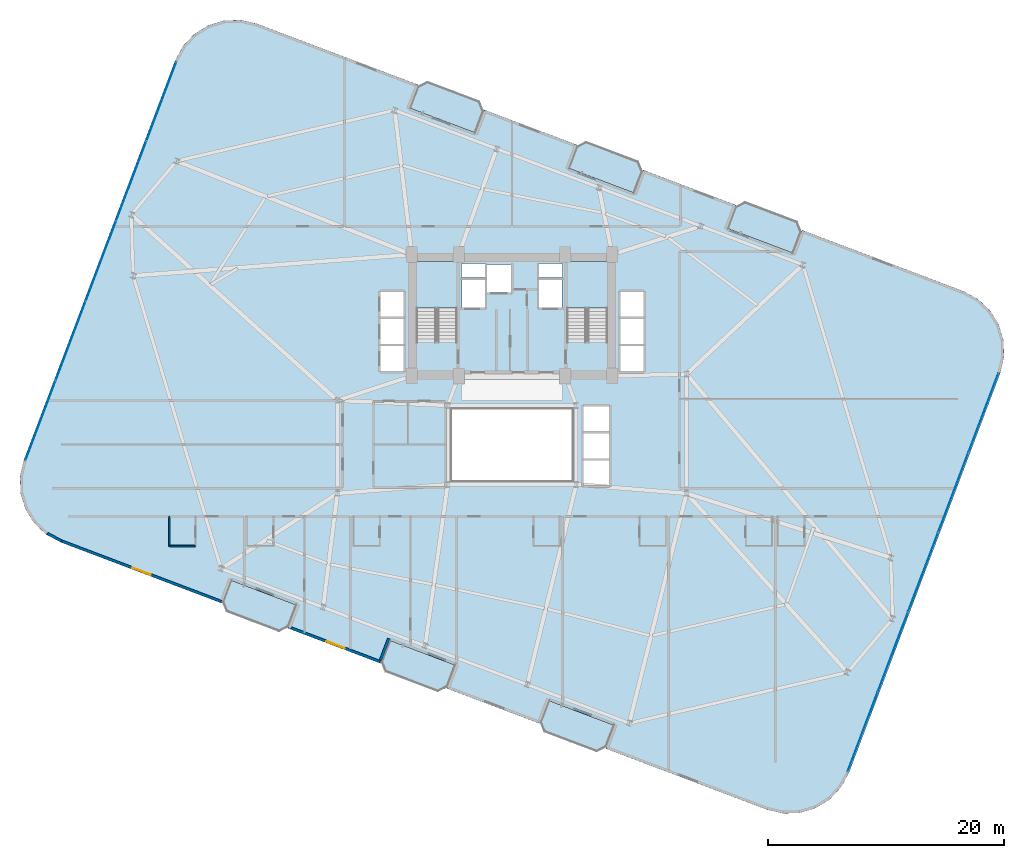
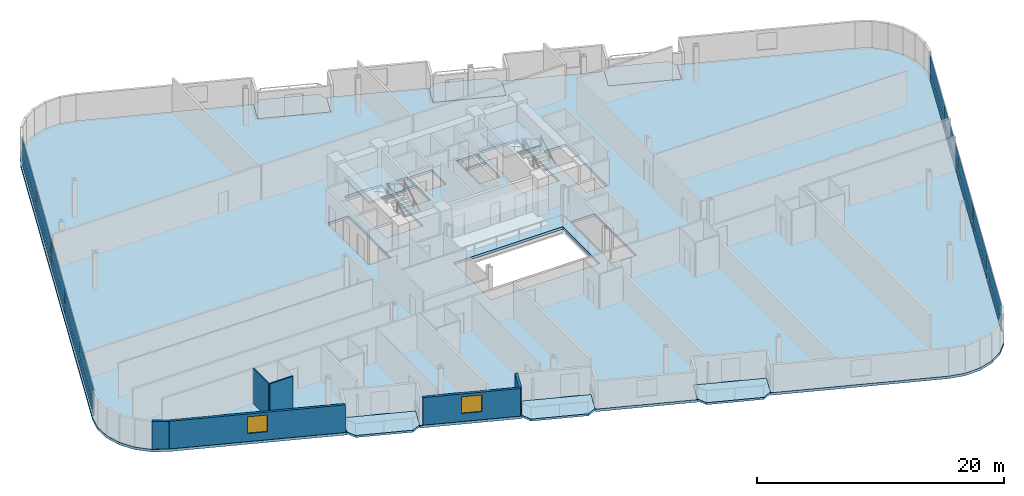
# One storey, part 16 of 25: 20 plates, 9 slabs, 6 walls, 2 windows, 2 openings, 4 elements without a shape of their own.
"""IFC4 building model written with IfcOpenShell, lengths in metres."""

from ifc_helpers import new_model, si_unit, direction, frame, frame_2d, origin, origin_2d, place, context, subcontext, project, spatial, polyline, rectangle, outline, extrude, source, transform, mapped, material, layer, layer_set, type_object, element, fill, aggregate, save


model = new_model("IFC4")

# Units and contexts
model_context = context("Model", 3, precision=1e-05, world=origin(), true_north=direction((0.0, 1.0)))
body_context = subcontext(model_context, "Body", "Model", "MODEL_VIEW")
ifc_project = project(units=[si_unit("LENGTHUNIT", "METRE"), si_unit("AREAUNIT", "SQUARE_METRE"), si_unit("VOLUMEUNIT", "CUBIC_METRE"), si_unit("PLANEANGLEUNIT", "RADIAN"), si_unit("MASSUNIT", "GRAM", prefix="KILO")], contexts=[model_context])

# Site, building, storey
site_placement = place(None, origin())
site = spatial("IfcSite", under=ifc_project, at=site_placement, CompositionType="ELEMENT")
building_placement = place(site_placement, origin())
building = spatial("IfcBuilding", under=site, at=building_placement, Name="Varnelok Gate Tower", CompositionType="ELEMENT")
storey_placement = place(building_placement, frame((0.0, 0.0, 83.60009765625)))
storey = spatial("IfcBuildingStorey", under=building, at=storey_placement, Name="L20", CompositionType="ELEMENT", Elevation=83.60009765625)

# Slabs
ifc_material_1 = material(Name="Concrete C45/55", Category="concrete")
ifc_layer_1 = layer(ifc_material_1, 0.199951171875)
ifc_layer_set_1 = layer_set([ifc_layer_1], Name="Concrete C45/55")
slab_type_1 = type_object("IfcSlabType", Name="SLB-BALC-200", PredefinedType="FLOOR", material=ifc_layer_set_1)
slab_1_placement = place(storey_placement, frame((0.0, 0.0, -0.2001953125)))
element("IfcSlab", 1, at=slab_1_placement, inside=storey, type_object=slab_type_1, Name="L20 South Hollow Balcony 1", PredefinedType="FLOOR", context=body_context, shape_type="SweptSolid", body=[
    extrude(outline(polyline([(14.64208984375, 9.576416015625), (15.019775390625, 8.738525390625), (19.415283203125, 7.074462890625), (20.25341796875, 7.4521484375), (20.96142578125, 9.322509765625), (15.35009765625, 11.447021484375), (14.64208984375, 9.576416015625)])), origin(), (0.0, 0.0, 1.0), 0.2001953125),
])
slab_2_placement = place(storey_placement, frame((0.0, 0.0, -0.2001953125)))
element("IfcSlab", 2, at=slab_2_placement, inside=storey, type_object=slab_type_1, Name="L20 South Hollow Balcony 2", PredefinedType="FLOOR", context=body_context, shape_type="SweptSolid", body=[
    extrude(outline(polyline([(28.109375, 4.47802734375), (28.487060546875, 3.639892578125), (32.882568359375, 1.975830078125), (33.720703125, 2.353515625), (34.4287109375, 4.22412109375), (28.8173828125, 6.348388671875), (28.109375, 4.47802734375)])), origin(), (0.0, 0.0, 1.0), 0.2001953125),
])
slab_3_placement = place(storey_placement, frame((0.0, 0.0, -0.2001953125)))
element("IfcSlab", 3, at=slab_3_placement, inside=storey, type_object=slab_type_1, Name="L20 South Hollow Balcony 3", PredefinedType="FLOOR", context=body_context, shape_type="SweptSolid", body=[
    extrude(outline(polyline([(41.576416015625, -0.62060546875), (41.9541015625, -1.45849609375), (46.349853515625, -3.12255859375), (47.187744140625, -2.744873046875), (47.89599609375, -0.87451171875), (42.28466796875, 1.25), (41.576416015625, -0.62060546875)])), origin(), (0.0, 0.0, 1.0), 0.2001953125),
])
slab_4_placement = place(storey_placement, frame((0.0, 0.0, -0.2001953125)))
element("IfcSlab", 4, at=slab_4_placement, inside=storey, type_object=slab_type_1, Name="L20 North Hollow Balcony 1", PredefinedType="FLOOR", context=body_context, shape_type="SweptSolid", body=[
    extrude(outline(polyline([(30.504150390625, 51.474365234375), (36.115478515625, 49.35009765625), (36.823486328125, 51.220458984375), (36.44580078125, 52.05859375), (32.05029296875, 53.72265625), (31.212158203125, 53.344970703125), (30.504150390625, 51.474365234375)])), origin(), (0.0, 0.0, 1.0), 0.2001953125),
])
slab_5_placement = place(storey_placement, frame((0.0, 0.0, -0.2001953125)))
element("IfcSlab", 5, at=slab_5_placement, inside=storey, type_object=slab_type_1, Name="L20 North Hollow Balcony 2", PredefinedType="FLOOR", context=body_context, shape_type="SweptSolid", body=[
    extrude(outline(polyline([(43.97119140625, 46.3759765625), (49.58251953125, 44.251708984375), (50.290771484375, 46.1220703125), (49.9130859375, 46.9599609375), (45.517333984375, 48.6240234375), (44.679443359375, 48.246337890625), (43.97119140625, 46.3759765625)])), origin(), (0.0, 0.0, 1.0), 0.2001953125),
])
slab_6_placement = place(storey_placement, frame((0.0, 0.0, -0.2001953125)))
element("IfcSlab", 6, at=slab_6_placement, inside=storey, type_object=slab_type_1, Name="L20 North Hollow Balcony 3", PredefinedType="FLOOR", context=body_context, shape_type="SweptSolid", body=[
    extrude(outline(polyline([(57.4384765625, 41.27734375), (63.0498046875, 39.153076171875), (63.7578125, 41.0234375), (63.380126953125, 41.861572265625), (58.984619140625, 43.525634765625), (58.146484375, 43.14794921875), (57.4384765625, 41.27734375)])), origin(), (0.0, 0.0, 1.0), 0.2001953125),
])

# Stair, slab
ifc_material_2 = material(Name="Concrete C50/60", Category="concrete")
stair_type = type_object("IfcStairType", Name="STR-CORE-1650", PredefinedType="HALF_TURN_STAIR", material=ifc_material_2)
stair_1_placement = place(storey_placement, origin())
stair_1 = element("IfcStair", 7, at=stair_1_placement, inside=storey, type_object=stair_type, Name="L20 Exit Stair ST-1", PredefinedType="HALF_TURN_STAIR")
ifc_layer_2 = layer(ifc_material_1, 0.199951171875)
ifc_layer_set_2 = layer_set([ifc_layer_2], Name="Concrete C45/55")
slab_type_2 = type_object("IfcSlabType", Name="SLB-LAND-200", PredefinedType="LANDING", material=ifc_layer_set_2)
slab_7_placement = place(storey_placement, frame((0.0, 0.0, 1.64990234375)))
slab_7 = element("IfcSlab", 8, at=slab_7_placement, type_object=slab_type_2, Name="ST-1 landing 1", PredefinedType="LANDING", context=body_context, shape_type="SweptSolid", body=[
    extrude(outline(polyline([(34.550048828125, 34.5), (34.550048828125, 38.449951171875), (31.10009765625, 38.449951171875), (31.10009765625, 34.5), (34.550048828125, 34.5)])), origin(), (0.0, 0.0, 1.0), 0.199951171875),
])
aggregate(stair_1, [slab_7])

stair_2_placement = place(storey_placement, origin())
stair_2 = element("IfcStair", 9, at=stair_2_placement, inside=storey, type_object=stair_type, Name="L20 Exit Stair ST-2", PredefinedType="HALF_TURN_STAIR")
slab_8_placement = place(storey_placement, frame((0.0, 0.0, 1.64990234375)))
slab_8 = element("IfcSlab", 10, at=slab_8_placement, type_object=slab_type_2, Name="ST-2 landing 1", PredefinedType="LANDING", context=body_context, shape_type="SweptSolid", body=[
    extrude(outline(polyline([(47.300048828125, 34.5), (47.300048828125, 38.449951171875), (43.85009765625, 38.449951171875), (43.85009765625, 34.5), (47.300048828125, 34.5)])), origin(), (0.0, 0.0, 1.0), 0.199951171875),
])
aggregate(stair_2, [slab_8])

# Slab
ifc_layer_3 = layer(ifc_material_2, 0.25)
ifc_layer_set_3 = layer_set([ifc_layer_3], Name="Concrete C50/60")
slab_type_3 = type_object("IfcSlabType", Name="SLB-TYP-250", PredefinedType="FLOOR", material=ifc_layer_set_3)
slab_9_placement = place(storey_placement, frame((0.0, 0.0, -0.25)))
element("IfcSlab", 11, at=slab_9_placement, inside=storey, type_object=slab_type_3, Name="L20 Structural Floor Slab", PredefinedType="FLOOR", context=body_context, shape_type="SweptSolid", body=[
    extrude(outline(polyline([(-2.185791015625, 21.614501953125), (-2.508544921875, 20.2421875), (-2.465087890625, 18.833251953125), (-2.05859375, 17.4833984375), (-1.31640625, 16.284912109375), (-0.28955078125, 15.319091796875), (0.952392578125, 14.65234375), (12.05029296875, 10.45068359375), (14.606689453125, 9.48291015625), (15.35009765625, 11.447021484375), (20.96142578125, 9.322509765625), (20.218017578125, 7.358642578125), (28.073974609375, 4.384521484375), (28.8173828125, 6.348388671875), (34.4287109375, 4.22412109375), (33.685302734375, 2.260009765625), (41.541015625, -0.714111328125), (42.28466796875, 1.25), (47.89599609375, -0.87451171875), (47.15234375, -2.83837890625), (49.708740234375, -3.80615234375), (60.806640625, -8.0078125), (62.1787109375, -8.33056640625), (63.587890625, -8.287109375), (64.937744140625, -7.880615234375), (66.13623046875, -7.138427734375), (67.101806640625, -6.111328125), (67.768798828125, -4.869384765625), (80.585693359375, 28.985595703125), (80.90869140625, 30.35791015625), (80.865234375, 31.766845703125), (80.45849609375, 33.11669921875), (79.716552734375, 34.315185546875), (78.689453125, 35.28076171875), (77.447509765625, 35.94775390625), (66.349609375, 40.1494140625), (63.793212890625, 41.116943359375), (63.0498046875, 39.153076171875), (57.4384765625, 41.27734375), (58.181884765625, 43.241455078125), (50.326171875, 46.215576171875), (49.58251953125, 44.251708984375), (43.97119140625, 46.3759765625), (44.71484375, 48.33984375), (36.85888671875, 51.31396484375), (36.115478515625, 49.35009765625), (30.504150390625, 51.474365234375), (31.24755859375, 53.4384765625), (28.69140625, 54.40625), (17.593505859375, 58.607666015625), (16.22119140625, 58.930419921875), (14.81201171875, 58.886962890625), (13.46240234375, 58.48046875), (12.263916015625, 57.73828125), (11.298095703125, 56.71142578125), (10.631103515625, 55.469482421875), (-2.185791015625, 21.614501953125)]), holes=[polyline([(34.550048828125, 31.679931640625), (34.550048828125, 38.449951171875), (31.10009765625, 38.449951171875), (31.10009765625, 31.679931640625), (34.550048828125, 31.679931640625)]), polyline([(47.300048828125, 31.679931640625), (47.300048828125, 38.449951171875), (43.85009765625, 38.449951171875), (43.85009765625, 31.679931640625), (47.300048828125, 31.679931640625)]), polyline([(34.949951171875, 34.550048828125), (36.89990234375, 34.550048828125), (36.89990234375, 36.89990234375), (34.949951171875, 36.89990234375), (34.949951171875, 34.550048828125)]), polyline([(41.5, 34.550048828125), (43.449951171875, 34.550048828125), (43.449951171875, 36.89990234375), (41.5, 36.89990234375), (41.5, 34.550048828125)]), polyline([(37.050048828125, 35.85009765625), (39.14990234375, 35.85009765625), (39.14990234375, 38.199951171875), (37.050048828125, 38.199951171875), (37.050048828125, 35.85009765625)]), polyline([(28.050048828125, 29.14990234375), (30.050048828125, 29.14990234375), (30.050048828125, 35.89990234375), (28.050048828125, 35.89990234375), (28.050048828125, 29.14990234375)]), polyline([(48.35009765625, 29.14990234375), (50.35009765625, 29.14990234375), (50.35009765625, 35.89990234375), (48.35009765625, 35.89990234375), (48.35009765625, 29.14990234375)]), polyline([(45.25, 19.449951171875), (47.449951171875, 19.449951171875), (47.449951171875, 26.199951171875), (45.25, 26.199951171875), (45.25, 19.449951171875)]), polyline([(34.919921875, 37.080078125), (36.89990234375, 37.080078125), (36.89990234375, 38.280029296875), (34.919921875, 38.280029296875), (34.919921875, 37.080078125)]), polyline([(41.5, 37.080078125), (43.47998046875, 37.080078125), (43.47998046875, 38.280029296875), (41.5, 38.280029296875), (41.5, 37.080078125)]), polyline([(34.10009765625, 19.89990234375), (44.300048828125, 19.89990234375), (44.300048828125, 25.89990234375), (34.10009765625, 25.89990234375), (34.10009765625, 19.89990234375)])]), origin(), (0.0, 0.0, 1.0), 0.25),
])

# Curtain wall, plates
ifc_material_3 = material(Name="Anodized Aluminum Alloy 6063-T6", Category="aluminium")
ifc_layer_4 = layer(ifc_material_3, 0.179931640625)
ifc_layer_set_4 = layer_set([ifc_layer_4], Name="Anodized Aluminum Alloy 6063-T6")
curtain_wall_type = type_object("IfcCurtainWallType", Name="CW3-HOTEL-VISION", PredefinedType="USERDEFINED", material=ifc_layer_set_4)
curtain_wall_1_placement = place(storey_placement, origin())
curtain_wall_1 = element("IfcCurtainWall", 12, at=curtain_wall_1_placement, inside=storey, type_object=curtain_wall_type, Name="L20 West End Vision Curtain Wall", ObjectType="UNITISED CURTAIN WALL", PredefinedType="USERDEFINED")
ifc_material_4 = material(Name="Low-E Laminated Double Glazing IGU", Category="glass")
ifc_layer_5 = layer(ifc_material_4, 0.031982421875)
ifc_layer_set_5 = layer_set([ifc_layer_5], Name="Low-E Laminated Double Glazing IGU")
plate_type = type_object("IfcPlateType", Name="CW-PNL-IGU32", PredefinedType="CURTAIN_PANEL", material=ifc_layer_set_5)
shared_shape_1 = source(origin(), body_context, "Body", "SweptSolid", [
    extrude(rectangle(XDim=7.142578125, YDim=0.031982421875, at=origin_2d()), origin(), (0.0, 0.0, 1.0), 0.802490234375),
])
plate_1_placement = place(storey_placement, frame((-0.767333984375, 24.965576171875, 0.06494140625), z_axis=(0.0, 0.0, 1.0), x_axis=(0.354063660545, 0.935221323688, 0.0)))
plate_1 = element("IfcPlate", 13, at=plate_1_placement, type_object=plate_type, Name="CW3 panel 1.1", PredefinedType="CURTAIN_PANEL", context=body_context, shape_type="MappedRepresentation", body=[
    mapped(shared_shape_1, transform((0.0, 0.0, 0.0), scale=1.0)),
])
plate_2_placement = place(storey_placement, frame((9.474853515625, 52.019287109375, 0.06494140625), z_axis=(0.0, 0.0, 1.0), x_axis=(0.354063660545, 0.935221323688, 0.0)))
plate_2 = element("IfcPlate", 14, at=plate_2_placement, type_object=plate_type, Name="CW3 panel 5.1", PredefinedType="CURTAIN_PANEL", context=body_context, shape_type="MappedRepresentation", body=[
    mapped(shared_shape_1, transform((0.0, 0.0, 0.0), scale=1.0)),
])

curtain_wall_2_placement = place(storey_placement, origin())
curtain_wall_2 = element("IfcCurtainWall", 15, at=curtain_wall_2_placement, inside=storey, type_object=curtain_wall_type, Name="L20 East End Vision Curtain Wall", ObjectType="UNITISED CURTAIN WALL", PredefinedType="USERDEFINED")
plate_3_placement = place(storey_placement, frame((79.16748046875, 25.634521484375, 0.06494140625), z_axis=(0.0, 0.0, 1.0), x_axis=(-0.354063660545, -0.935221323688, 0.0)))
plate_3 = element("IfcPlate", 16, at=plate_3_placement, type_object=plate_type, Name="CW3 panel 1.1", PredefinedType="CURTAIN_PANEL", context=body_context, shape_type="MappedRepresentation", body=[
    mapped(shared_shape_1, transform((0.0, 0.0, 0.0), scale=1.0)),
])
plate_4_placement = place(storey_placement, frame((68.92529296875, -1.419189453125, 0.06494140625), z_axis=(0.0, 0.0, 1.0), x_axis=(-0.354063660545, -0.935221323688, 0.0)))
plate_4 = element("IfcPlate", 17, at=plate_4_placement, type_object=plate_type, Name="CW3 panel 5.1", PredefinedType="CURTAIN_PANEL", context=body_context, shape_type="MappedRepresentation", body=[
    mapped(shared_shape_1, transform((0.0, 0.0, 0.0), scale=1.0)),
])

# Plate
shared_shape_2 = source(origin(), body_context, "Body", "SweptSolid", [
    extrude(rectangle(XDim=7.142578125, YDim=0.031982421875, at=origin_2d()), origin(), (0.0, 0.0, 1.0), 1.732421875),
])
plate_5_placement = place(storey_placement, frame((-0.767333984375, 24.965576171875, 0.932373046875), z_axis=(0.0, 0.0, 1.0), x_axis=(0.354063660545, 0.935221323688, 0.0)))
plate_5 = element("IfcPlate", 18, at=plate_5_placement, type_object=plate_type, Name="CW3 panel 1.2", PredefinedType="CURTAIN_PANEL", context=body_context, shape_type="MappedRepresentation", body=[
    mapped(shared_shape_2, transform((0.0, 0.0, 0.0), scale=1.0)),
])

plate_6_placement = place(storey_placement, frame((9.474853515625, 52.019287109375, 0.932373046875), z_axis=(0.0, 0.0, 1.0), x_axis=(0.354063660545, 0.935221323688, 0.0)))
plate_6 = element("IfcPlate", 19, at=plate_6_placement, type_object=plate_type, Name="CW3 panel 5.2", PredefinedType="CURTAIN_PANEL", context=body_context, shape_type="MappedRepresentation", body=[
    mapped(shared_shape_2, transform((0.0, 0.0, 0.0), scale=1.0)),
])

plate_7_placement = place(storey_placement, frame((79.16748046875, 25.634521484375, 0.932373046875), z_axis=(0.0, 0.0, 1.0), x_axis=(-0.354063660545, -0.935221323688, 0.0)))
plate_7 = element("IfcPlate", 20, at=plate_7_placement, type_object=plate_type, Name="CW3 panel 1.2", PredefinedType="CURTAIN_PANEL", context=body_context, shape_type="MappedRepresentation", body=[
    mapped(shared_shape_2, transform((0.0, 0.0, 0.0), scale=1.0)),
])

plate_8_placement = place(storey_placement, frame((68.92529296875, -1.419189453125, 0.932373046875), z_axis=(0.0, 0.0, 1.0), x_axis=(-0.354063660545, -0.935221323688, 0.0)))
plate_8 = element("IfcPlate", 21, at=plate_8_placement, type_object=plate_type, Name="CW3 panel 5.2", PredefinedType="CURTAIN_PANEL", context=body_context, shape_type="MappedRepresentation", body=[
    mapped(shared_shape_2, transform((0.0, 0.0, 0.0), scale=1.0)),
])

shared_shape_3 = source(origin(), body_context, "Body", "SweptSolid", [
    extrude(rectangle(XDim=7.175048828125, YDim=0.031982421875, at=origin_2d()), origin(), (0.0, 0.0, 1.0), 0.802490234375),
])
plate_9_placement = place(storey_placement, frame((1.790283203125, 31.721435546875, 0.06494140625), z_axis=(0.0, 0.0, 1.0), x_axis=(0.354063660545, 0.935221323688, 0.0)))
plate_9 = element("IfcPlate", 22, at=plate_9_placement, type_object=plate_type, Name="CW3 panel 2.1", PredefinedType="CURTAIN_PANEL", context=body_context, shape_type="MappedRepresentation", body=[
    mapped(shared_shape_3, transform((0.0, 0.0, 0.0), scale=1.0)),
])

plate_10_placement = place(storey_placement, frame((4.353759765625, 38.492431640625, 0.06494140625), z_axis=(0.0, 0.0, 1.0), x_axis=(0.354063660545, 0.935221323688, 0.0)))
plate_10 = element("IfcPlate", 23, at=plate_10_placement, type_object=plate_type, Name="CW3 panel 3.1", PredefinedType="CURTAIN_PANEL", context=body_context, shape_type="MappedRepresentation", body=[
    mapped(shared_shape_3, transform((0.0, 0.0, 0.0), scale=1.0)),
])

plate_11_placement = place(storey_placement, frame((6.9169921875, 45.263427734375, 0.06494140625), z_axis=(0.0, 0.0, 1.0), x_axis=(0.354063660545, 0.935221323688, 0.0)))
plate_11 = element("IfcPlate", 24, at=plate_11_placement, type_object=plate_type, Name="CW3 panel 4.1", PredefinedType="CURTAIN_PANEL", context=body_context, shape_type="MappedRepresentation", body=[
    mapped(shared_shape_3, transform((0.0, 0.0, 0.0), scale=1.0)),
])

plate_12_placement = place(storey_placement, frame((76.60986328125, 18.878662109375, 0.06494140625), z_axis=(0.0, 0.0, 1.0), x_axis=(-0.354063660545, -0.935221323688, 0.0)))
plate_12 = element("IfcPlate", 25, at=plate_12_placement, type_object=plate_type, Name="CW3 panel 2.1", PredefinedType="CURTAIN_PANEL", context=body_context, shape_type="MappedRepresentation", body=[
    mapped(shared_shape_3, transform((0.0, 0.0, 0.0), scale=1.0)),
])

plate_13_placement = place(storey_placement, frame((74.04638671875, 12.107666015625, 0.06494140625), z_axis=(0.0, 0.0, 1.0), x_axis=(-0.354063660545, -0.935221323688, 0.0)))
plate_13 = element("IfcPlate", 26, at=plate_13_placement, type_object=plate_type, Name="CW3 panel 3.1", PredefinedType="CURTAIN_PANEL", context=body_context, shape_type="MappedRepresentation", body=[
    mapped(shared_shape_3, transform((0.0, 0.0, 0.0), scale=1.0)),
])

plate_14_placement = place(storey_placement, frame((71.48291015625, 5.336669921875, 0.06494140625), z_axis=(0.0, 0.0, 1.0), x_axis=(-0.354063660545, -0.935221323688, 0.0)))
plate_14 = element("IfcPlate", 27, at=plate_14_placement, type_object=plate_type, Name="CW3 panel 4.1", PredefinedType="CURTAIN_PANEL", context=body_context, shape_type="MappedRepresentation", body=[
    mapped(shared_shape_3, transform((0.0, 0.0, 0.0), scale=1.0)),
])

shared_shape_4 = source(origin(), body_context, "Body", "SweptSolid", [
    extrude(rectangle(XDim=7.175048828125, YDim=0.031982421875, at=origin_2d()), origin(), (0.0, 0.0, 1.0), 1.732421875),
])
plate_15_placement = place(storey_placement, frame((1.790283203125, 31.721435546875, 0.932373046875), z_axis=(0.0, 0.0, 1.0), x_axis=(0.354063660545, 0.935221323688, 0.0)))
plate_15 = element("IfcPlate", 28, at=plate_15_placement, type_object=plate_type, Name="CW3 panel 2.2", PredefinedType="CURTAIN_PANEL", context=body_context, shape_type="MappedRepresentation", body=[
    mapped(shared_shape_4, transform((0.0, 0.0, 0.0), scale=1.0)),
])

plate_16_placement = place(storey_placement, frame((4.353759765625, 38.492431640625, 0.932373046875), z_axis=(0.0, 0.0, 1.0), x_axis=(0.354063660545, 0.935221323688, 0.0)))
plate_16 = element("IfcPlate", 29, at=plate_16_placement, type_object=plate_type, Name="CW3 panel 3.2", PredefinedType="CURTAIN_PANEL", context=body_context, shape_type="MappedRepresentation", body=[
    mapped(shared_shape_4, transform((0.0, 0.0, 0.0), scale=1.0)),
])

plate_17_placement = place(storey_placement, frame((6.9169921875, 45.263427734375, 0.932373046875), z_axis=(0.0, 0.0, 1.0), x_axis=(0.354063660545, 0.935221323688, 0.0)))
plate_17 = element("IfcPlate", 30, at=plate_17_placement, type_object=plate_type, Name="CW3 panel 4.2", PredefinedType="CURTAIN_PANEL", context=body_context, shape_type="MappedRepresentation", body=[
    mapped(shared_shape_4, transform((0.0, 0.0, 0.0), scale=1.0)),
])

aggregate(curtain_wall_1, [plate_1, plate_5, plate_9, plate_15, plate_10, plate_16, plate_11, plate_17, plate_2, plate_6])

plate_18_placement = place(storey_placement, frame((76.60986328125, 18.878662109375, 0.932373046875), z_axis=(0.0, 0.0, 1.0), x_axis=(-0.354063660545, -0.935221323688, 0.0)))
plate_18 = element("IfcPlate", 31, at=plate_18_placement, type_object=plate_type, Name="CW3 panel 2.2", PredefinedType="CURTAIN_PANEL", context=body_context, shape_type="MappedRepresentation", body=[
    mapped(shared_shape_4, transform((0.0, 0.0, 0.0), scale=1.0)),
])

plate_19_placement = place(storey_placement, frame((74.04638671875, 12.107666015625, 0.932373046875), z_axis=(0.0, 0.0, 1.0), x_axis=(-0.354063660545, -0.935221323688, 0.0)))
plate_19 = element("IfcPlate", 32, at=plate_19_placement, type_object=plate_type, Name="CW3 panel 3.2", PredefinedType="CURTAIN_PANEL", context=body_context, shape_type="MappedRepresentation", body=[
    mapped(shared_shape_4, transform((0.0, 0.0, 0.0), scale=1.0)),
])

plate_20_placement = place(storey_placement, frame((71.48291015625, 5.336669921875, 0.932373046875), z_axis=(0.0, 0.0, 1.0), x_axis=(-0.354063660545, -0.935221323688, 0.0)))
plate_20 = element("IfcPlate", 33, at=plate_20_placement, type_object=plate_type, Name="CW3 panel 4.2", PredefinedType="CURTAIN_PANEL", context=body_context, shape_type="MappedRepresentation", body=[
    mapped(shared_shape_4, transform((0.0, 0.0, 0.0), scale=1.0)),
])

aggregate(curtain_wall_2, [plate_3, plate_7, plate_12, plate_18, plate_13, plate_19, plate_14, plate_20, plate_4, plate_8])

# Wall
ifc_layer_6 = layer(ifc_material_1, 0.219970703125)
ifc_layer_set_6 = layer_set([ifc_layer_6], Name="Concrete C45/55")
wall_type_1 = type_object("IfcWallType", Name="EW-BALC-220", PredefinedType="SOLIDWALL", material=ifc_layer_set_6)
wall_1_placement = place(storey_placement, frame((-0.19677734375, 15.405517578125, 0.0), z_axis=(0.0, 0.0, 1.0), x_axis=(0.881023507585, -0.47307248819, 0.0)))
element("IfcWall", 34, at=wall_1_placement, inside=storey, type_object=wall_type_1, Name="L20 Perimeter Facade Closure Wall 6", PredefinedType="SOLIDWALL", context=body_context, shape_type="SweptSolid", body=[
    extrude(rectangle(XDim=1.36083984375, YDim=0.219970703125, at=frame_2d((0.680419921875, 0.0))), origin(), (0.0, 0.0, 1.0), 2.72998046875),
])

# Wall, opening, window
wall_2_placement = place(storey_placement, frame((1.025634765625, 14.7529296875, 0.0), z_axis=(0.0, 0.0, 1.0), x_axis=(0.935222448475, -0.354060689526, 0.0)))
wall_2 = element("IfcWall", 35, at=wall_2_placement, inside=storey, type_object=wall_type_1, Name="L20 Perimeter Facade Closure Wall 7", PredefinedType="SOLIDWALL", context=body_context, shape_type="SweptSolid", body=[
    extrude(rectangle(XDim=14.447265625, YDim=0.219970703125, at=frame_2d((7.2236328125, 0.0))), origin(), (0.0, 0.0, 1.0), 2.72998046875),
])
opening_1_placement = place(wall_2_placement, frame((6.398681640625, 0.0, 0.800048828125)))
opening_1 = element("IfcOpeningElement", 36, at=opening_1_placement, cuts=wall_2, Name="Opening WN3", PredefinedType="OPENING", context=body_context, shape_type="SweptSolid", body=[
    extrude(rectangle(XDim=1.64990234375, YDim=1.64990234375, at=frame_2d((0.824951171875, 0.824951171875))), frame((0.0, 0.119873046875, 0.0), z_axis=(0.0, -1.0, 0.0), x_axis=(1.0, 0.0, 0.0)), (0.0, 0.0, 1.0), 0.239990234375),
])
window_type = type_object("IfcWindowType", Name="WN-HTL-1650", PartitioningType="SINGLE_PANEL", PredefinedType="WINDOW", material=ifc_material_4)
window_1_placement = place(opening_1_placement, origin())
window_1 = element("IfcWindow", 37, at=window_1_placement, inside=storey, type_object=window_type, Name="L20 Perimeter Vision Window 7", OverallHeight=1.64990234375, OverallWidth=1.64990234375, PartitioningType="SINGLE_PANEL", PredefinedType="WINDOW", context=body_context, shape_type="SweptSolid", body=[
    extrude(rectangle(XDim=1.64990234375, YDim=1.64990234375, at=frame_2d((0.824951171875, 0.824951171875))), frame((0.0, 0.030029296875, 0.0), z_axis=(0.0, -1.0, 0.0), x_axis=(1.0, 0.0, 0.0)), (0.0, 0.0, 1.0), 0.06005859375),
])
fill(opening_1, window_1)

wall_3_placement = place(storey_placement, frame((20.489501953125, 7.384033203125, 0.0), z_axis=(0.0, 0.0, 1.0), x_axis=(0.935230796934, -0.354038636968, 0.0)))
wall_3 = element("IfcWall", 38, at=wall_3_placement, inside=storey, type_object=wall_type_1, Name="L20 Perimeter Facade Closure Wall 10", PredefinedType="SOLIDWALL", context=body_context, shape_type="SweptSolid", body=[
    extrude(rectangle(XDim=8.03515625, YDim=0.219970703125, at=frame_2d((4.017578125, 0.0))), origin(), (0.0, 0.0, 1.0), 2.72998046875),
])
opening_2_placement = place(wall_3_placement, frame((3.1923828125, 0.0, 0.800048828125)))
opening_2 = element("IfcOpeningElement", 39, at=opening_2_placement, cuts=wall_3, Name="Opening WN3", PredefinedType="OPENING", context=body_context, shape_type="SweptSolid", body=[
    extrude(rectangle(XDim=1.64990234375, YDim=1.64990234375, at=frame_2d((0.824951171875, 0.824951171875))), frame((0.0, 0.119873046875, 0.0), z_axis=(0.0, -1.0, 0.0), x_axis=(1.0, 0.0, 0.0)), (0.0, 0.0, 1.0), 0.239990234375),
])
window_2_placement = place(opening_2_placement, origin())
window_2 = element("IfcWindow", 40, at=window_2_placement, inside=storey, type_object=window_type, Name="L20 Perimeter Vision Window 10", OverallHeight=1.64990234375, OverallWidth=1.64990234375, PartitioningType="SINGLE_PANEL", PredefinedType="WINDOW", context=body_context, shape_type="SweptSolid", body=[
    extrude(rectangle(XDim=1.64990234375, YDim=1.64990234375, at=frame_2d((0.824951171875, 0.824951171875))), frame((0.0, 0.030029296875, 0.0), z_axis=(0.0, -1.0, 0.0), x_axis=(1.0, 0.0, 0.0)), (0.0, 0.0, 1.0), 0.06005859375),
])
fill(opening_2, window_2)

# Walls
wall_4_placement = place(storey_placement, frame((28.04833984375, 4.656005859375, 0.0), z_axis=(0.0, 0.0, 1.0), x_axis=(0.354128791944, 0.935196663123, 0.0)))
element("IfcWall", 41, at=wall_4_placement, inside=storey, type_object=wall_type_1, Name="L20 Perimeter Facade Closure Wall 11", PredefinedType="SOLIDWALL", context=body_context, shape_type="SweptSolid", body=[
    extrude(rectangle(XDim=1.97509765625, YDim=0.219970703125, at=frame_2d((0.987548828125, 0.0))), origin(), (0.0, 0.0, 1.0), 2.72998046875),
])
ifc_material_5 = material(Name="Gypsum Plasterboard Acoustic Partition", Category="gypsum")
ifc_layer_7 = layer(ifc_material_5, 0.114990234375)
ifc_layer_set_7 = layer_set([ifc_layer_7], Name="Gypsum Plasterboard Acoustic Partition")
wall_type_2 = type_object("IfcWallType", Name="PW-ENS-125", PredefinedType="PARTITIONING", material=ifc_layer_set_7)
wall_5_placement = place(storey_placement, frame((10.179931640625, 14.330078125, 0.0), z_axis=(0.0, 0.0, 1.0), x_axis=(1.0, 0.0, 0.0)))
element("IfcWall", 42, at=wall_5_placement, inside=storey, type_object=wall_type_2, Name="Interior Partition", PredefinedType="PARTITIONING", context=body_context, shape_type="SweptSolid", body=[
    extrude(rectangle(XDim=2.150146484375, YDim=0.114990234375, at=frame_2d((1.0751953125, 0.0))), origin(), (0.0, 0.0, 1.0), 3.449951171875),
])
wall_6_placement = place(storey_placement, frame((10.139892578125, 14.330078125, 0.0), z_axis=(0.0, 0.0, 1.0), x_axis=(0.0, 1.0, 0.0)))
element("IfcWall", 43, at=wall_6_placement, inside=storey, type_object=wall_type_2, Name="Interior Partition", PredefinedType="PARTITIONING", context=body_context, shape_type="SweptSolid", body=[
    extrude(rectangle(XDim=2.52001953125, YDim=0.114990234375, at=frame_2d((1.260009765625, 0.0))), origin(), (0.0, 0.0, 1.0), 3.449951171875),
])

save(model, "model.ifc")
